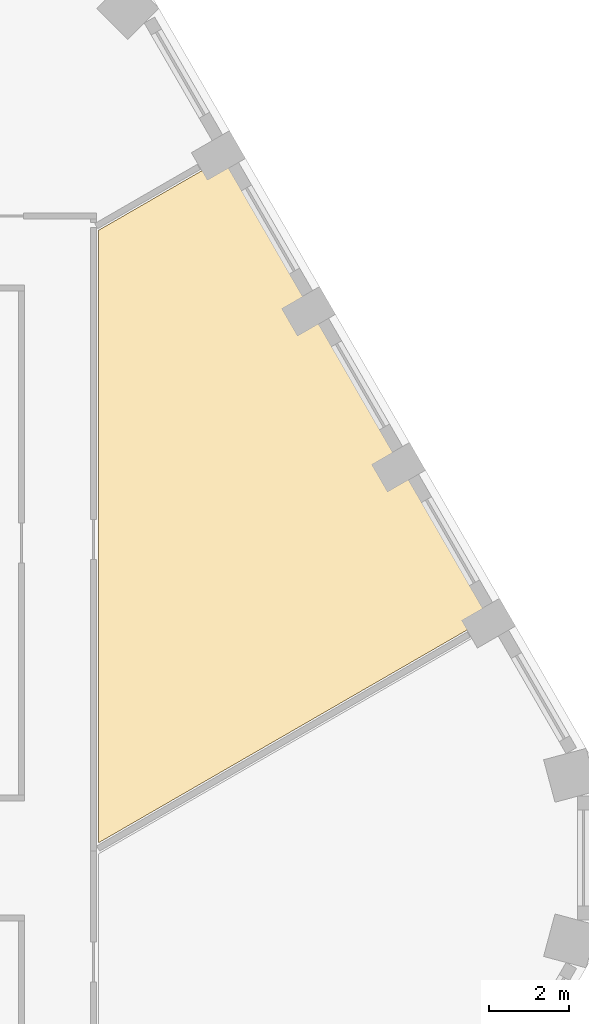
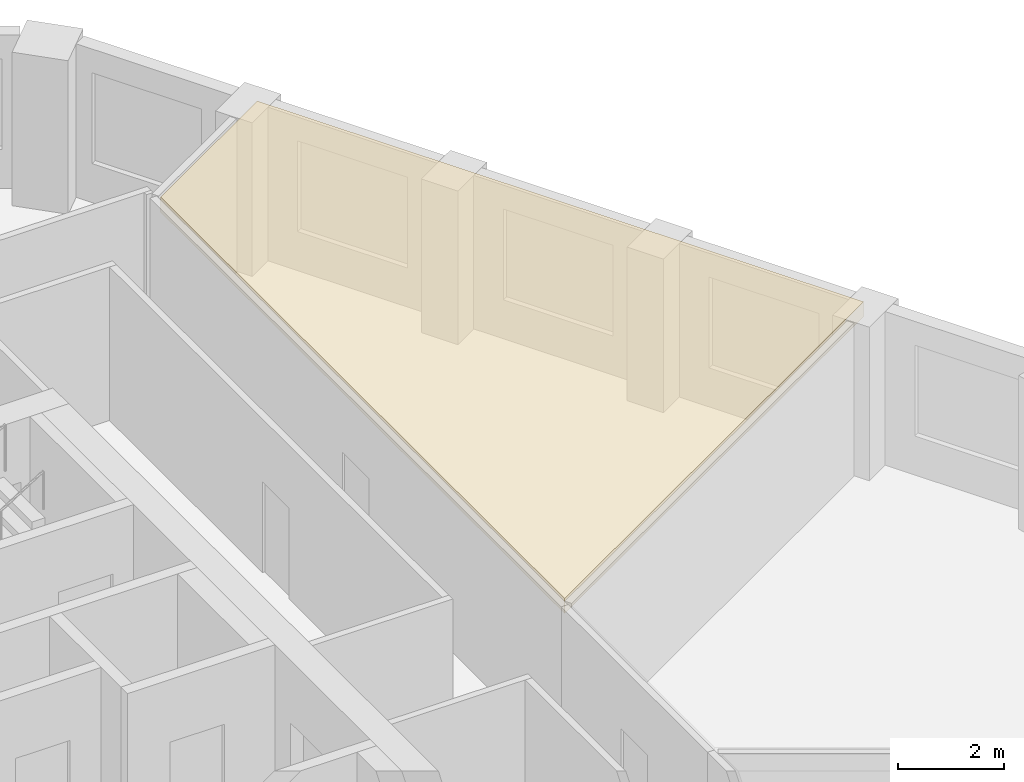
# One storey, part 13 of 13: 1 covering.
"""IFC4 building model written with IfcOpenShell, lengths in metres."""

from ifc_helpers import new_model, si_unit, direction, frame, origin, place, context, subcontext, project, spatial, polyline, outline, extrude, material, layer, layer_set, type_object, element, save


model = new_model("IFC4")

# Units and contexts
model_context = context("Model", 3, precision=1e-05, world=origin(), true_north=direction((0.0, 1.0)))
body_context = subcontext(model_context, "Body", "Model", "MODEL_VIEW")
ifc_project = project(units=[si_unit("LENGTHUNIT", "METRE"), si_unit("AREAUNIT", "SQUARE_METRE"), si_unit("VOLUMEUNIT", "CUBIC_METRE"), si_unit("PLANEANGLEUNIT", "RADIAN"), si_unit("MASSUNIT", "GRAM", prefix="KILO")], contexts=[model_context])

# Site, building, storey
site_placement = place(None, origin())
site = spatial("IfcSite", under=ifc_project, at=site_placement, CompositionType="ELEMENT")
building_placement = place(site_placement, origin())
building = spatial("IfcBuilding", under=site, at=building_placement, Name="Dhurran Vertical Campus", CompositionType="ELEMENT")
storey_placement = place(building_placement, frame((0.0, 0.0, 191.699951171875)))
storey = spatial("IfcBuildingStorey", under=building, at=storey_placement, Name="L47", CompositionType="ELEMENT", Elevation=191.699951171875)

# Covering
ifc_material = material(Name="Mineral fibre ceiling tiles on suspended grid")
ifc_layer = layer(ifc_material, 0.35009765625)
ifc_layer_set = layer_set([ifc_layer], Name="Mineral fibre ceiling tiles on suspended grid")
covering_type = type_object("IfcCoveringType", Name="fl-CE-350 suspended ceiling", PredefinedType="CEILING", material=ifc_layer_set)
covering_placement = place(storey_placement, frame((0.0, 0.0, 3.199951171875)))
element("IfcCovering", 1, at=covering_placement, inside=storey, type_object=covering_type, Name="Ceiling 47-30", PredefinedType="CEILING", context=body_context, shape_type="SweptSolid", body=[
    extrude(outline(polyline([(21.593017578125, 17.52392578125), (28.222900390625, 6.041015625), (18.419921875, 0.381103515625), (18.419921875, 15.693115234375), (21.593017578125, 17.52392578125)])), origin(), (0.0, 0.0, 1.0), 0.35009765625),
])

save(model, "model.ifc")
